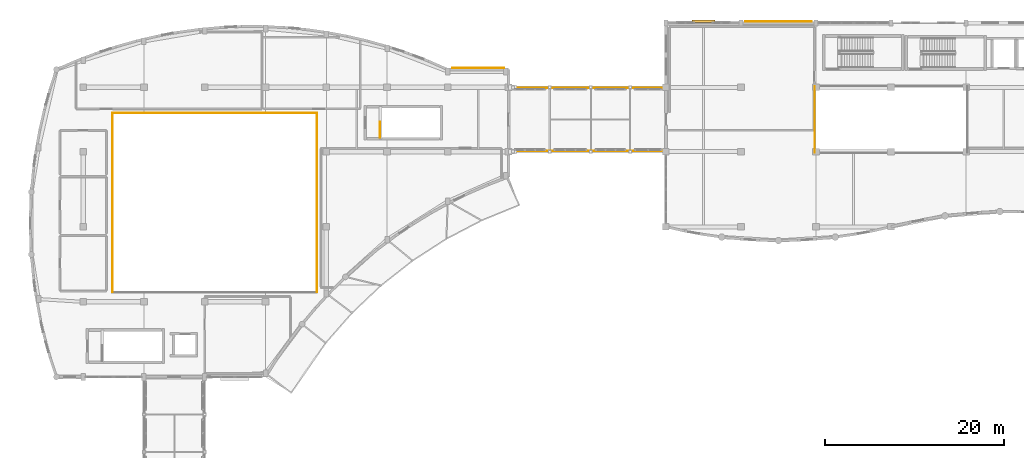
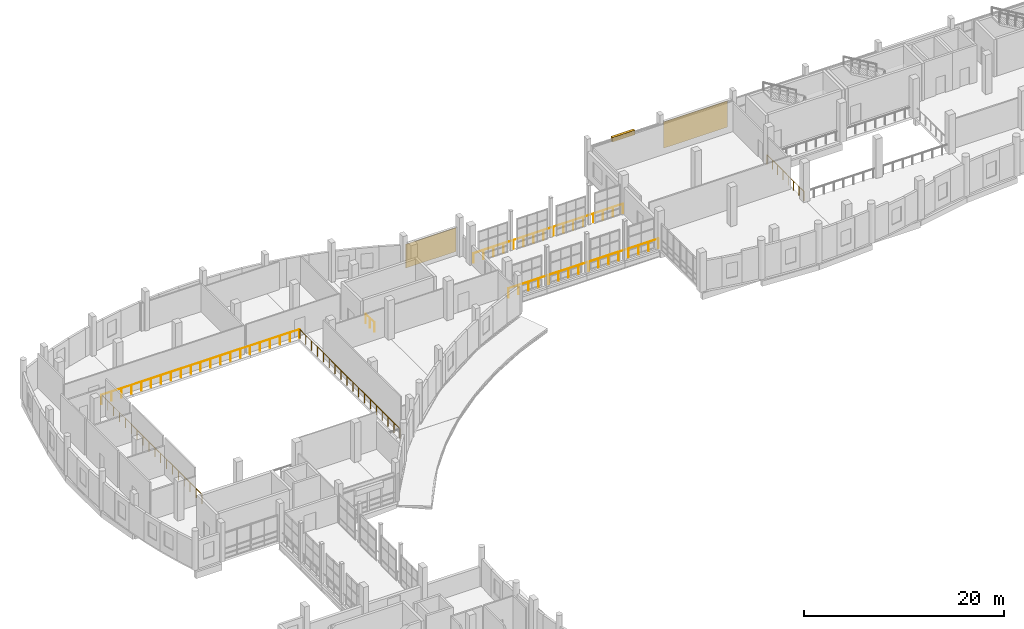
# One storey, part 99 of 106: 7 railings, 2 coverings, 1 shading device.
"""IFC4 building model written with IfcOpenShell, lengths in metres."""

from ifc_helpers import new_model, si_unit, direction, frame, origin, origin_2d, place, context, subcontext, project, spatial, rectangle, circle, extrude, material, layer, layer_set, type_object, element, save


model = new_model("IFC4")

# Units and contexts
model_context = context("Model", 3, precision=1e-05, world=origin(), true_north=direction((0.0, 1.0)))
body_context = subcontext(model_context, "Body", "Model", "MODEL_VIEW")
ifc_project = project(units=[si_unit("LENGTHUNIT", "METRE"), si_unit("AREAUNIT", "SQUARE_METRE"), si_unit("VOLUMEUNIT", "CUBIC_METRE"), si_unit("PLANEANGLEUNIT", "RADIAN"), si_unit("MASSUNIT", "GRAM", prefix="KILO")], contexts=[model_context])

# Site, building, storey
site_placement = place(None, origin())
site = spatial("IfcSite", under=ifc_project, at=site_placement, CompositionType="ELEMENT")
building_placement = place(site_placement, origin())
building = spatial("IfcBuilding", under=site, at=building_placement, Name="Kisaragi Civic Commons", CompositionType="ELEMENT")
storey_placement = place(building_placement, frame((0.0, 0.0, 4.800048828125)))
storey = spatial("IfcBuildingStorey", under=building, at=storey_placement, Name="L01", CompositionType="ELEMENT", Elevation=4.800048828125)

# Railings
ifc_material_1 = material(Name="Hot-dip galvanized and fluoropolymer-coated steel", Category="steel")
railing_type_1 = type_object("IfcRailingType", Name="BAL-01", PredefinedType="BALUSTRADE", material=ifc_material_1)
railing_1_placement = place(storey_placement, frame((54.6298828125, 104.47998046875, 0.0)))
element("IfcRailing", 1, at=railing_1_placement, inside=storey, type_object=railing_type_1, Name="BR-V4-V2 L01 bridge edge balustrade 1", PredefinedType="BALUSTRADE", context=body_context, shape_type="SweptSolid", body=[
    extrude(circle(Radius=0.02392578125, at=origin_2d()), frame((0.0, 0.0, 1.1259765625), z_axis=(1.0, 0.0, 0.0), x_axis=(0.0, 1.0, 0.0)), (0.0, 0.0, 1.0), 17.2900390625),
    extrude(circle(Radius=0.02099609375, at=origin_2d()), origin(), (0.0, 0.0, 1.0), 1.101806640625),
    extrude(circle(Radius=0.02099609375, at=origin_2d()), frame((1.152587890625, 0.0, 0.0)), (0.0, 0.0, 1.0), 1.101806640625),
    extrude(circle(Radius=0.02099609375, at=origin_2d()), frame((2.305419921875, 0.0, 0.0)), (0.0, 0.0, 1.0), 1.101806640625),
    extrude(circle(Radius=0.02099609375, at=origin_2d()), frame((3.4580078125, 0.0, 0.0)), (0.0, 0.0, 1.0), 1.101806640625),
    extrude(circle(Radius=0.02099609375, at=origin_2d()), frame((4.610595703125, 0.0, 0.0)), (0.0, 0.0, 1.0), 1.101806640625),
    extrude(circle(Radius=0.02099609375, at=origin_2d()), frame((5.763427734375, 0.0, 0.0)), (0.0, 0.0, 1.0), 1.101806640625),
    extrude(circle(Radius=0.02099609375, at=origin_2d()), frame((6.916015625, 0.0, 0.0)), (0.0, 0.0, 1.0), 1.101806640625),
    extrude(circle(Radius=0.02099609375, at=origin_2d()), frame((8.068603515625, 0.0, 0.0)), (0.0, 0.0, 1.0), 1.101806640625),
    extrude(circle(Radius=0.02099609375, at=origin_2d()), frame((9.221435546875, 0.0, 0.0)), (0.0, 0.0, 1.0), 1.101806640625),
    extrude(circle(Radius=0.02099609375, at=origin_2d()), frame((10.3740234375, 0.0, 0.0)), (0.0, 0.0, 1.0), 1.101806640625),
    extrude(circle(Radius=0.02099609375, at=origin_2d()), frame((11.526611328125, 0.0, 0.0)), (0.0, 0.0, 1.0), 1.101806640625),
    extrude(circle(Radius=0.02099609375, at=origin_2d()), frame((12.679443359375, 0.0, 0.0)), (0.0, 0.0, 1.0), 1.101806640625),
    extrude(circle(Radius=0.02099609375, at=origin_2d()), frame((13.83203125, 0.0, 0.0)), (0.0, 0.0, 1.0), 1.101806640625),
    extrude(circle(Radius=0.02099609375, at=origin_2d()), frame((14.984619140625, 0.0, 0.0)), (0.0, 0.0, 1.0), 1.101806640625),
    extrude(circle(Radius=0.02099609375, at=origin_2d()), frame((16.137451171875, 0.0, 0.0)), (0.0, 0.0, 1.0), 1.101806640625),
    extrude(circle(Radius=0.02099609375, at=origin_2d()), frame((17.2900390625, 0.0, 0.0)), (0.0, 0.0, 1.0), 1.101806640625),
])
railing_2_placement = place(storey_placement, frame((54.6298828125, 111.52001953125, 0.0)))
element("IfcRailing", 2, at=railing_2_placement, inside=storey, type_object=railing_type_1, Name="BR-V4-V2 L01 bridge edge balustrade 2", PredefinedType="BALUSTRADE", context=body_context, shape_type="SweptSolid", body=[
    extrude(circle(Radius=0.02392578125, at=origin_2d()), frame((0.0, 0.0, 1.1259765625), z_axis=(1.0, 0.0, 0.0), x_axis=(0.0, 1.0, 0.0)), (0.0, 0.0, 1.0), 17.2900390625),
    extrude(circle(Radius=0.02099609375, at=origin_2d()), origin(), (0.0, 0.0, 1.0), 1.101806640625),
    extrude(circle(Radius=0.02099609375, at=origin_2d()), frame((1.152587890625, 0.0, 0.0)), (0.0, 0.0, 1.0), 1.101806640625),
    extrude(circle(Radius=0.02099609375, at=origin_2d()), frame((2.305419921875, 0.0, 0.0)), (0.0, 0.0, 1.0), 1.101806640625),
    extrude(circle(Radius=0.02099609375, at=origin_2d()), frame((3.4580078125, 0.0, 0.0)), (0.0, 0.0, 1.0), 1.101806640625),
    extrude(circle(Radius=0.02099609375, at=origin_2d()), frame((4.610595703125, 0.0, 0.0)), (0.0, 0.0, 1.0), 1.101806640625),
    extrude(circle(Radius=0.02099609375, at=origin_2d()), frame((5.763427734375, 0.0, 0.0)), (0.0, 0.0, 1.0), 1.101806640625),
    extrude(circle(Radius=0.02099609375, at=origin_2d()), frame((6.916015625, 0.0, 0.0)), (0.0, 0.0, 1.0), 1.101806640625),
    extrude(circle(Radius=0.02099609375, at=origin_2d()), frame((8.068603515625, 0.0, 0.0)), (0.0, 0.0, 1.0), 1.101806640625),
    extrude(circle(Radius=0.02099609375, at=origin_2d()), frame((9.221435546875, 0.0, 0.0)), (0.0, 0.0, 1.0), 1.101806640625),
    extrude(circle(Radius=0.02099609375, at=origin_2d()), frame((10.3740234375, 0.0, 0.0)), (0.0, 0.0, 1.0), 1.101806640625),
    extrude(circle(Radius=0.02099609375, at=origin_2d()), frame((11.526611328125, 0.0, 0.0)), (0.0, 0.0, 1.0), 1.101806640625),
    extrude(circle(Radius=0.02099609375, at=origin_2d()), frame((12.679443359375, 0.0, 0.0)), (0.0, 0.0, 1.0), 1.101806640625),
    extrude(circle(Radius=0.02099609375, at=origin_2d()), frame((13.83203125, 0.0, 0.0)), (0.0, 0.0, 1.0), 1.101806640625),
    extrude(circle(Radius=0.02099609375, at=origin_2d()), frame((14.984619140625, 0.0, 0.0)), (0.0, 0.0, 1.0), 1.101806640625),
    extrude(circle(Radius=0.02099609375, at=origin_2d()), frame((16.137451171875, 0.0, 0.0)), (0.0, 0.0, 1.0), 1.101806640625),
    extrude(circle(Radius=0.02099609375, at=origin_2d()), frame((17.2900390625, 0.0, 0.0)), (0.0, 0.0, 1.0), 1.101806640625),
])

# Coverings
ifc_material_2 = material(Name="Extruded Tokoname terracotta rainscreen tile", Category="masonry")
ifc_layer_1 = layer(ifc_material_2, 0.0400390625, Name="Extruded Tokoname terracotta rainscreen tile", Category="masonry")
ifc_layer_set_1 = layer_set([ifc_layer_1], Name="Extruded Tokoname terracotta rainscreen tile")
covering_type = type_object("IfcCoveringType", Name="CLD-01", PredefinedType="CLADDING", material=ifc_layer_set_1)
covering_1_placement = place(storey_placement, frame((51.0, 113.762939453125, 0.25), z_axis=(0.0, 0.0, 1.0), x_axis=(1.0, 0.0, 0.0)))
element("IfcCovering", 3, at=covering_1_placement, inside=storey, type_object=covering_type, Name="V2 L01 terracotta facade cladding 3", PredefinedType="CLADDING", context=body_context, shape_type="SweptSolid", body=[
    extrude(rectangle(XDim=5.800048828125, YDim=0.0400390625, at=origin_2d()), origin(), (0.0, 0.0, 1.0), 2.905029296875),
])
covering_2_placement = place(storey_placement, frame((84.60009765625, 118.97802734375, 0.25), z_axis=(0.0, 0.0, 1.0), x_axis=(1.0, 0.0, 0.0)))
element("IfcCovering", 4, at=covering_2_placement, inside=storey, type_object=covering_type, Name="V4 L01 terracotta facade cladding 9", PredefinedType="CLADDING", context=body_context, shape_type="SweptSolid", body=[
    extrude(rectangle(XDim=7.39990234375, YDim=0.0400390625, at=origin_2d()), origin(), (0.0, 0.0, 1.0), 3.205078125),
])

# Railings
ifc_material_3 = material(Name="Powder-coated architectural steel and hinoki cap rail", Category="steel")
railing_type_2 = type_object("IfcRailingType", Name="GRD-I1", PredefinedType="GUARDRAIL", material=ifc_material_3)
railing_3_placement = place(storey_placement, frame((32.93994140625, 88.68994140625, 0.0)))
element("IfcRailing", 5, at=railing_3_placement, inside=storey, type_object=railing_type_2, Name="V2 L01 gallery void guardrail 6", PredefinedType="GUARDRAIL", context=body_context, shape_type="SweptSolid", body=[
    extrude(circle(Radius=0.02392578125, at=origin_2d()), frame((0.0, 0.0, 1.1259765625), z_axis=(0.0, 1.0, 0.0), x_axis=(-1.0, 0.0, 0.0)), (0.0, 0.0, 1.0), 20.02001953125),
    extrude(circle(Radius=0.02099609375, at=origin_2d()), origin(), (0.0, 0.0, 1.0), 1.101806640625),
    extrude(circle(Radius=0.02099609375, at=origin_2d()), frame((0.0, 1.177734375, 0.0)), (0.0, 0.0, 1.0), 1.101806640625),
    extrude(circle(Radius=0.02099609375, at=origin_2d()), frame((0.0, 2.355224609375, 0.0)), (0.0, 0.0, 1.0), 1.101806640625),
    extrude(circle(Radius=0.02099609375, at=origin_2d()), frame((0.0, 3.532958984375, 0.0)), (0.0, 0.0, 1.0), 1.101806640625),
    extrude(circle(Radius=0.02099609375, at=origin_2d()), frame((0.0, 4.710693359375, 0.0)), (0.0, 0.0, 1.0), 1.101806640625),
    extrude(circle(Radius=0.02099609375, at=origin_2d()), frame((0.0, 5.88818359375, 0.0)), (0.0, 0.0, 1.0), 1.101806640625),
    extrude(circle(Radius=0.02099609375, at=origin_2d()), frame((0.0, 7.06591796875, 0.0)), (0.0, 0.0, 1.0), 1.101806640625),
    extrude(circle(Radius=0.02099609375, at=origin_2d()), frame((0.0, 8.24365234375, 0.0)), (0.0, 0.0, 1.0), 1.101806640625),
    extrude(circle(Radius=0.02099609375, at=origin_2d()), frame((0.0, 9.421142578125, 0.0)), (0.0, 0.0, 1.0), 1.101806640625),
    extrude(circle(Radius=0.02099609375, at=origin_2d()), frame((0.0, 10.598876953125, 0.0)), (0.0, 0.0, 1.0), 1.101806640625),
    extrude(circle(Radius=0.02099609375, at=origin_2d()), frame((0.0, 11.7763671875, 0.0)), (0.0, 0.0, 1.0), 1.101806640625),
    extrude(circle(Radius=0.02099609375, at=origin_2d()), frame((0.0, 12.9541015625, 0.0)), (0.0, 0.0, 1.0), 1.101806640625),
    extrude(circle(Radius=0.02099609375, at=origin_2d()), frame((0.0, 14.1318359375, 0.0)), (0.0, 0.0, 1.0), 1.101806640625),
    extrude(circle(Radius=0.02099609375, at=origin_2d()), frame((0.0, 15.309326171875, 0.0)), (0.0, 0.0, 1.0), 1.101806640625),
    extrude(circle(Radius=0.02099609375, at=origin_2d()), frame((0.0, 16.487060546875, 0.0)), (0.0, 0.0, 1.0), 1.101806640625),
    extrude(circle(Radius=0.02099609375, at=origin_2d()), frame((0.0, 17.664794921875, 0.0)), (0.0, 0.0, 1.0), 1.101806640625),
    extrude(circle(Radius=0.02099609375, at=origin_2d()), frame((0.0, 18.84228515625, 0.0)), (0.0, 0.0, 1.0), 1.101806640625),
    extrude(circle(Radius=0.02099609375, at=origin_2d()), frame((0.0, 20.02001953125, 0.0)), (0.0, 0.0, 1.0), 1.101806640625),
])
railing_4_placement = place(storey_placement, frame((32.93994140625, 108.739990234375, 0.0)))
element("IfcRailing", 6, at=railing_4_placement, inside=storey, type_object=railing_type_2, Name="V2 L01 gallery void guardrail 7", PredefinedType="GUARDRAIL", context=body_context, shape_type="SweptSolid", body=[
    extrude(circle(Radius=0.02392578125, at=origin_2d()), frame((0.0, 0.0, 1.1259765625), z_axis=(-1.0, 0.0, 0.0), x_axis=(0.0, -1.0, 0.0)), (0.0, 0.0, 1.0), 22.8798828125),
    extrude(circle(Radius=0.02099609375, at=origin_2d()), origin(), (0.0, 0.0, 1.0), 1.101806640625),
    extrude(circle(Radius=0.02099609375, at=origin_2d()), frame((-1.14404296875, 0.0, 0.0)), (0.0, 0.0, 1.0), 1.101806640625),
    extrude(circle(Radius=0.02099609375, at=origin_2d()), frame((-2.2880859375, 0.0, 0.0)), (0.0, 0.0, 1.0), 1.101806640625),
    extrude(circle(Radius=0.02099609375, at=origin_2d()), frame((-3.431884765625, 0.0, 0.0)), (0.0, 0.0, 1.0), 1.101806640625),
    extrude(circle(Radius=0.02099609375, at=origin_2d()), frame((-4.575927734375, 0.0, 0.0)), (0.0, 0.0, 1.0), 1.101806640625),
    extrude(circle(Radius=0.02099609375, at=origin_2d()), frame((-5.719970703125, 0.0, 0.0)), (0.0, 0.0, 1.0), 1.101806640625),
    extrude(circle(Radius=0.02099609375, at=origin_2d()), frame((-6.864013671875, 0.0, 0.0)), (0.0, 0.0, 1.0), 1.101806640625),
    extrude(circle(Radius=0.02099609375, at=origin_2d()), frame((-8.008056640625, 0.0, 0.0)), (0.0, 0.0, 1.0), 1.101806640625),
    extrude(circle(Radius=0.02099609375, at=origin_2d()), frame((-9.15185546875, 0.0, 0.0)), (0.0, 0.0, 1.0), 1.101806640625),
    extrude(circle(Radius=0.02099609375, at=origin_2d()), frame((-10.2958984375, 0.0, 0.0)), (0.0, 0.0, 1.0), 1.101806640625),
    extrude(circle(Radius=0.02099609375, at=origin_2d()), frame((-11.43994140625, 0.0, 0.0)), (0.0, 0.0, 1.0), 1.101806640625),
    extrude(circle(Radius=0.02099609375, at=origin_2d()), frame((-12.583984375, 0.0, 0.0)), (0.0, 0.0, 1.0), 1.101806640625),
    extrude(circle(Radius=0.02099609375, at=origin_2d()), frame((-13.72802734375, 0.0, 0.0)), (0.0, 0.0, 1.0), 1.101806640625),
    extrude(circle(Radius=0.02099609375, at=origin_2d()), frame((-14.871826171875, 0.0, 0.0)), (0.0, 0.0, 1.0), 1.101806640625),
    extrude(circle(Radius=0.02099609375, at=origin_2d()), frame((-16.015869140625, 0.0, 0.0)), (0.0, 0.0, 1.0), 1.101806640625),
    extrude(circle(Radius=0.02099609375, at=origin_2d()), frame((-17.159912109375, 0.0, 0.0)), (0.0, 0.0, 1.0), 1.101806640625),
    extrude(circle(Radius=0.02099609375, at=origin_2d()), frame((-18.303955078125, 0.0, 0.0)), (0.0, 0.0, 1.0), 1.101806640625),
    extrude(circle(Radius=0.02099609375, at=origin_2d()), frame((-19.447998046875, 0.0, 0.0)), (0.0, 0.0, 1.0), 1.101806640625),
    extrude(circle(Radius=0.02099609375, at=origin_2d()), frame((-20.591796875, 0.0, 0.0)), (0.0, 0.0, 1.0), 1.101806640625),
    extrude(circle(Radius=0.02099609375, at=origin_2d()), frame((-21.73583984375, 0.0, 0.0)), (0.0, 0.0, 1.0), 1.101806640625),
    extrude(circle(Radius=0.02099609375, at=origin_2d()), frame((-22.8798828125, 0.0, 0.0)), (0.0, 0.0, 1.0), 1.101806640625),
])
railing_5_placement = place(storey_placement, frame((10.06005859375, 108.7099609375, 0.0)))
element("IfcRailing", 7, at=railing_5_placement, inside=storey, type_object=railing_type_2, Name="V2 L01 gallery void guardrail 8", PredefinedType="GUARDRAIL", context=body_context, shape_type="SweptSolid", body=[
    extrude(circle(Radius=0.02392578125, at=origin_2d()), frame((0.0, 0.0, 1.1259765625), z_axis=(0.0, -1.0, 0.0), x_axis=(1.0, 0.0, 0.0)), (0.0, 0.0, 1.0), 20.02001953125),
    extrude(circle(Radius=0.02099609375, at=origin_2d()), origin(), (0.0, 0.0, 1.0), 1.101806640625),
    extrude(circle(Radius=0.02099609375, at=origin_2d()), frame((0.0, -1.177734375, 0.0)), (0.0, 0.0, 1.0), 1.101806640625),
    extrude(circle(Radius=0.02099609375, at=origin_2d()), frame((0.0, -2.355224609375, 0.0)), (0.0, 0.0, 1.0), 1.101806640625),
    extrude(circle(Radius=0.02099609375, at=origin_2d()), frame((0.0, -3.532958984375, 0.0)), (0.0, 0.0, 1.0), 1.101806640625),
    extrude(circle(Radius=0.02099609375, at=origin_2d()), frame((0.0, -4.710693359375, 0.0)), (0.0, 0.0, 1.0), 1.101806640625),
    extrude(circle(Radius=0.02099609375, at=origin_2d()), frame((0.0, -5.88818359375, 0.0)), (0.0, 0.0, 1.0), 1.101806640625),
    extrude(circle(Radius=0.02099609375, at=origin_2d()), frame((0.0, -7.06591796875, 0.0)), (0.0, 0.0, 1.0), 1.101806640625),
    extrude(circle(Radius=0.02099609375, at=origin_2d()), frame((0.0, -8.24365234375, 0.0)), (0.0, 0.0, 1.0), 1.101806640625),
    extrude(circle(Radius=0.02099609375, at=origin_2d()), frame((0.0, -9.421142578125, 0.0)), (0.0, 0.0, 1.0), 1.101806640625),
    extrude(circle(Radius=0.02099609375, at=origin_2d()), frame((0.0, -10.598876953125, 0.0)), (0.0, 0.0, 1.0), 1.101806640625),
    extrude(circle(Radius=0.02099609375, at=origin_2d()), frame((0.0, -11.7763671875, 0.0)), (0.0, 0.0, 1.0), 1.101806640625),
    extrude(circle(Radius=0.02099609375, at=origin_2d()), frame((0.0, -12.9541015625, 0.0)), (0.0, 0.0, 1.0), 1.101806640625),
    extrude(circle(Radius=0.02099609375, at=origin_2d()), frame((0.0, -14.1318359375, 0.0)), (0.0, 0.0, 1.0), 1.101806640625),
    extrude(circle(Radius=0.02099609375, at=origin_2d()), frame((0.0, -15.309326171875, 0.0)), (0.0, 0.0, 1.0), 1.101806640625),
    extrude(circle(Radius=0.02099609375, at=origin_2d()), frame((0.0, -16.487060546875, 0.0)), (0.0, 0.0, 1.0), 1.101806640625),
    extrude(circle(Radius=0.02099609375, at=origin_2d()), frame((0.0, -17.664794921875, 0.0)), (0.0, 0.0, 1.0), 1.101806640625),
    extrude(circle(Radius=0.02099609375, at=origin_2d()), frame((0.0, -18.84228515625, 0.0)), (0.0, 0.0, 1.0), 1.101806640625),
    extrude(circle(Radius=0.02099609375, at=origin_2d()), frame((0.0, -20.02001953125, 0.0)), (0.0, 0.0, 1.0), 1.101806640625),
])
railing_6_placement = place(storey_placement, frame((88.659912109375, 111.7099609375, 0.0)))
element("IfcRailing", 8, at=railing_6_placement, inside=storey, type_object=railing_type_2, Name="V4 L01 gallery void guardrail 16", PredefinedType="GUARDRAIL", context=body_context, shape_type="SweptSolid", body=[
    extrude(circle(Radius=0.02392578125, at=origin_2d()), frame((0.0, 0.0, 1.1259765625), z_axis=(0.0, -1.0, 0.0), x_axis=(1.0, 0.0, 0.0)), (0.0, 0.0, 1.0), 7.419921875),
    extrude(circle(Radius=0.02099609375, at=origin_2d()), origin(), (0.0, 0.0, 1.0), 1.101806640625),
    extrude(circle(Radius=0.02099609375, at=origin_2d()), frame((0.0, -1.06005859375, 0.0)), (0.0, 0.0, 1.0), 1.101806640625),
    extrude(circle(Radius=0.02099609375, at=origin_2d()), frame((0.0, -2.119873046875, 0.0)), (0.0, 0.0, 1.0), 1.101806640625),
    extrude(circle(Radius=0.02099609375, at=origin_2d()), frame((0.0, -3.179931640625, 0.0)), (0.0, 0.0, 1.0), 1.101806640625),
    extrude(circle(Radius=0.02099609375, at=origin_2d()), frame((0.0, -4.239990234375, 0.0)), (0.0, 0.0, 1.0), 1.101806640625),
    extrude(circle(Radius=0.02099609375, at=origin_2d()), frame((0.0, -5.300048828125, 0.0)), (0.0, 0.0, 1.0), 1.101806640625),
    extrude(circle(Radius=0.02099609375, at=origin_2d()), frame((0.0, -6.35986328125, 0.0)), (0.0, 0.0, 1.0), 1.101806640625),
    extrude(circle(Radius=0.02099609375, at=origin_2d()), frame((0.0, -7.419921875, 0.0)), (0.0, 0.0, 1.0), 1.101806640625),
])
railing_type_3 = type_object("IfcRailingType", Name="GRD-S1", PredefinedType="GUARDRAIL", material=ifc_material_3)
railing_7_placement = place(storey_placement, frame((40.0, 106.0, 0.0)))
element("IfcRailing", 9, at=railing_7_placement, inside=storey, type_object=railing_type_3, Name="L01 ST-S2 top well guard 1", PredefinedType="GUARDRAIL", context=body_context, shape_type="SweptSolid", body=[
    extrude(circle(Radius=0.02392578125, at=origin_2d()), frame((0.0, 0.0, 1.1259765625), z_axis=(0.0, 1.0, 0.0), x_axis=(-1.0, 0.0, 0.0)), (0.0, 0.0, 1.0), 1.75),
    extrude(circle(Radius=0.02099609375, at=origin_2d()), origin(), (0.0, 0.0, 1.0), 1.101806640625),
    extrude(circle(Radius=0.02099609375, at=origin_2d()), frame((0.0, 0.875, 0.0)), (0.0, 0.0, 1.0), 1.101806640625),
    extrude(circle(Radius=0.02099609375, at=origin_2d()), frame((0.0, 1.75, 0.0)), (0.0, 0.0, 1.0), 1.101806640625),
])

# Shading device
ifc_material_4 = material(Name="Extruded Tokoname terracotta sun-louvre blade", Category="masonry")
ifc_layer_2 = layer(ifc_material_4, 0.550048828125, Name="Extruded Tokoname terracotta sun-louvre blade", Category="masonry")
ifc_layer_set_2 = layer_set([ifc_layer_2], Name="Extruded Tokoname terracotta sun-louvre blade")
shading_device_type = type_object("IfcShadingDeviceType", Name="SHD-02", PredefinedType="JALOUSIE", material=ifc_layer_set_2)
shading_device_placement = place(storey_placement, frame((76.199951171875, 118.989990234375, 3.15478515625), z_axis=(0.0, 0.0, 1.0), x_axis=(1.0, 0.0, 0.0)))
element("IfcShadingDevice", 10, at=shading_device_placement, inside=storey, type_object=shading_device_type, Name="V4 L01 terracotta sun-louvre 9", PredefinedType="JALOUSIE", context=body_context, shape_type="SweptSolid", body=[
    extrude(rectangle(XDim=2.60009765625, YDim=0.300048828125, at=origin_2d()), origin(), (0.0, 0.0, 1.0), 0.550048828125),
])

save(model, "model.ifc")
